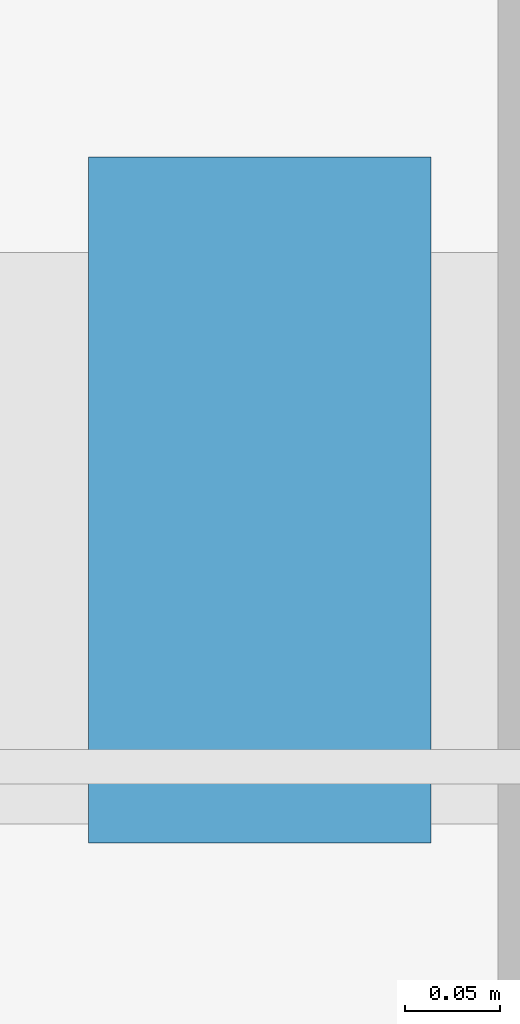
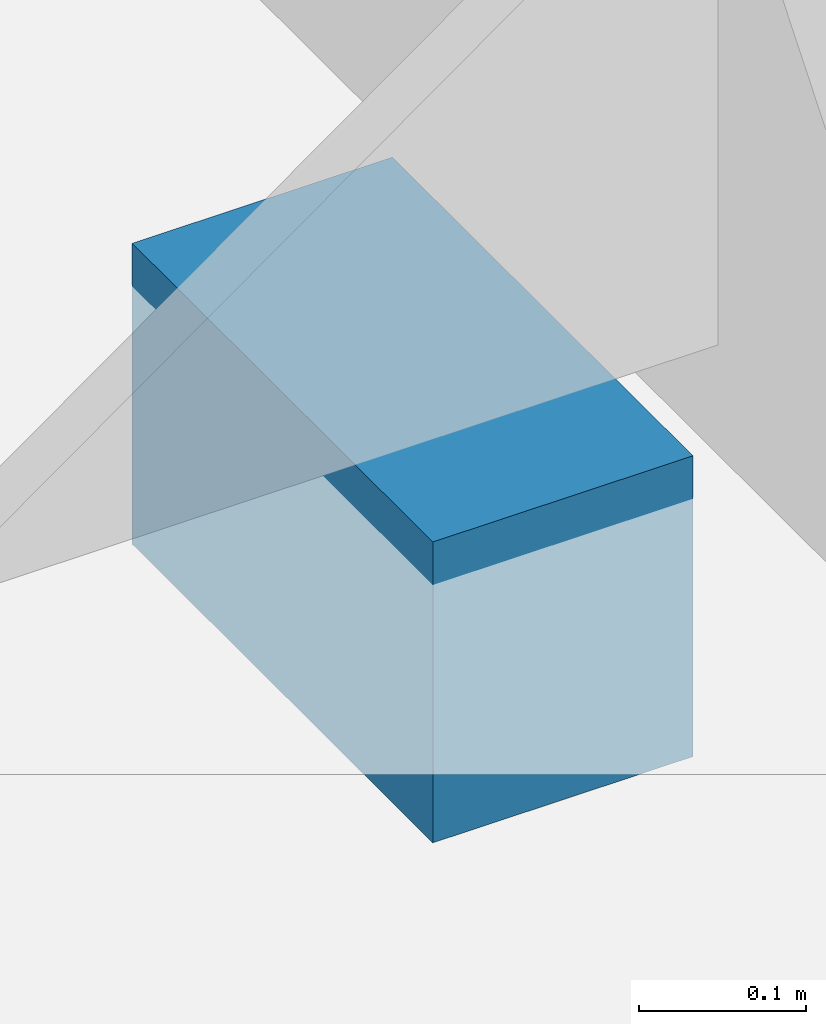
# One storey, part 14 of 17: 1 discrete accessory.
"""IFC4 building model written with IfcOpenShell, lengths in metres."""

import ifcopenshell
import ifcopenshell.guid

model = None  # the IFC model being written
_history = None  # IfcOwnerHistory: only IFC2X3 demands one
_inside = {}  # id of a spatial element -> (the spatial element, [elements in it])
_under = {}  # id of a project, library or spatial element -> (it, [spatial elements below it])
_declared = {}  # id of a project -> (the project, [libraries it declares])
_typed = {}  # id of a type object -> (the type object, [elements of that type])
_made_of = {}  # id of a material, layer set ... -> (it, [elements and type objects made of it])


def new_model(schema):
    """Start an empty IFC model of exactly this schema.

    Asked for "IFC4X3", IfcOpenShell would pick the latest addendum, in which some entities
    have other attributes; the version numbers below select the first issue.
    IFC2X3 requires an IfcOwnerHistory on every rooted entity: one is made here for all.
    """
    global model, _history
    if schema == "IFC4X3":
        model = ifcopenshell.file(schema_version=(4, 3, 0, 0))
    else:
        model = ifcopenshell.file(schema=schema)
    _inside.clear()
    _under.clear()
    _declared.clear()
    _typed.clear()
    _made_of.clear()
    _history = None
    if model.schema == "IFC2X3":
        org = make("IfcOrganization", Name="unknown")
        user = make(
            "IfcPersonAndOrganization",
            ThePerson=make("IfcPerson", FamilyName="unknown"),
            TheOrganization=org,
        )
        app = make(
            "IfcApplication",
            ApplicationDeveloper=org,
            Version="unknown",
            ApplicationFullName="unknown",
            ApplicationIdentifier="unknown",
        )
        _history = make(
            "IfcOwnerHistory",
            OwningUser=user,
            OwningApplication=app,
            ChangeAction="ADDED",
            CreationDate=0,
        )
    return model


def make(cls, **values):
    """One entity of the class cls with the attributes given. An attribute that is None is left unset."""
    return model.create_entity(
        cls, **{name: value for name, value in values.items() if value is not None}
    )


def rooted(cls, **values):
    """An entity with a GlobalId (a new one), such as an element, a storey or a relation."""
    return make(cls, GlobalId=ifcopenshell.guid.new(), OwnerHistory=_history, **values)


def si_unit(unit_type, name, prefix=None):
    """IfcSIUnit, for example si_unit("LENGTHUNIT", "METRE", prefix="MILLI")."""
    return make("IfcSIUnit", UnitType=unit_type, Prefix=prefix, Name=name)


def assignment(units):
    """IfcUnitAssignment: the units of a project."""
    return None if units is None else make("IfcUnitAssignment", Units=units)


def point(xyz):
    """IfcCartesianPoint."""
    return None if xyz is None else make("IfcCartesianPoint", Coordinates=xyz)


def direction(xyz):
    """IfcDirection."""
    return None if xyz is None else make("IfcDirection", DirectionRatios=xyz)


def frame(location, z_axis=None, x_axis=None):
    """IfcAxis2Placement3D, a coordinate frame: its origin and axes. An axis left out is left unset."""
    return make(
        "IfcAxis2Placement3D",
        Location=point(location),
        Axis=direction(z_axis),
        RefDirection=direction(x_axis),
    )


def frame_2d(location, x_axis=None):
    """IfcAxis2Placement2D, a coordinate frame in the plane: its origin and x axis."""
    return make(
        "IfcAxis2Placement2D", Location=point(location), RefDirection=direction(x_axis)
    )


def origin():
    """The frame at (0, 0, 0) with its axes left unset."""
    return frame((0.0, 0.0, 0.0))


def origin_2d():
    """The frame at (0, 0) in the plane with its x axis left unset."""
    return frame_2d((0.0, 0.0))


def place(relative_to, where):
    """IfcLocalPlacement: puts the frame where relative to a parent placement (None: the world)."""
    return make(
        "IfcLocalPlacement", PlacementRelTo=relative_to, RelativePlacement=where
    )


def context(
    kind, dimensions, precision=None, world=None, true_north=None, identifier=None
):
    """IfcGeometricRepresentationContext, for example the 3D "Model" context."""
    return make(
        "IfcGeometricRepresentationContext",
        ContextIdentifier=identifier,
        ContextType=kind,
        CoordinateSpaceDimension=dimensions,
        Precision=precision,
        WorldCoordinateSystem=world,
        TrueNorth=true_north,
    )


def subcontext(parent, identifier, kind, view, scale=None):
    """IfcGeometricRepresentationSubContext, for example "Body" below "Model"."""
    return make(
        "IfcGeometricRepresentationSubContext",
        ContextIdentifier=identifier,
        ContextType=kind,
        ParentContext=parent,
        TargetScale=scale,
        TargetView=view,
    )


def project(units=None, contexts=None):
    """IfcProject with its units and contexts."""
    return rooted(
        "IfcProject",
        Name="project",
        RepresentationContexts=contexts,
        UnitsInContext=assignment(units),
    )


def spatial(cls, under=None, at=None, **own):
    """A site, building, storey or space (cls), placed at a placement, below another one or the project."""
    s = rooted(cls, ObjectPlacement=at, **own)
    if under is not None:
        _under.setdefault(under.id(), (under, []))[1].append(s)
    return s


def profile(cls, at=None, kind="AREA", **sizes):
    """A parametric profile (cls). Its sizes go by their IFC names, for example OverallWidth=200.0."""
    return make(cls, ProfileType=kind, Position=at, **sizes)


def rectangle(**sizes):
    """IfcRectangleProfileDef."""
    return profile("IfcRectangleProfileDef", **sizes)


def extrude(swept, where, along, depth):
    """IfcExtrudedAreaSolid: the profile swept, set in the frame where, extruded along a direction by depth."""
    return make(
        "IfcExtrudedAreaSolid",
        SweptArea=swept,
        Position=where,
        ExtrudedDirection=direction(along),
        Depth=depth,
    )


def shape(context_of_items, identifier, shape_type, items):
    """IfcShapeRepresentation: the items that make up one representation, for example the "Body"."""
    return make(
        "IfcShapeRepresentation",
        ContextOfItems=context_of_items,
        RepresentationIdentifier=identifier,
        RepresentationType=shape_type,
        Items=items,
    )


def source(mapping_origin, context_of_items, identifier, shape_type, items):
    """IfcRepresentationMap: a shape defined once, which mapped items show again and again."""
    return make(
        "IfcRepresentationMap",
        MappingOrigin=mapping_origin,
        MappedRepresentation=shape(context_of_items, identifier, shape_type, items),
    )


def transform(
    local_origin,
    x_axis=None,
    y_axis=None,
    z_axis=None,
    scale=None,
    scale2=None,
    scale3=None,
    uniform=True,
):
    """IfcCartesianTransformationOperator3D, or its non-uniform kind. x_axis, y_axis, z_axis: its Axis1, 2, 3."""
    if uniform:
        return make(
            "IfcCartesianTransformationOperator3D",
            Axis1=direction(x_axis),
            Axis2=direction(y_axis),
            LocalOrigin=point(local_origin),
            Scale=scale,
            Axis3=direction(z_axis),
        )
    return make(
        "IfcCartesianTransformationOperator3DnonUniform",
        Axis1=direction(x_axis),
        Axis2=direction(y_axis),
        LocalOrigin=point(local_origin),
        Scale=scale,
        Axis3=direction(z_axis),
        Scale2=scale2,
        Scale3=scale3,
    )


def mapped(mapping_source, mapping_target):
    """IfcMappedItem: shows the shape of a source again, moved by a transform."""
    return make(
        "IfcMappedItem", MappingSource=mapping_source, MappingTarget=mapping_target
    )


def material(Name=None, Category=None):
    """IfcMaterial."""
    return make("IfcMaterial", Name=Name, Category=Category)


def made_of(thing, what):
    """Note that an element or type object is made of a material, layer set ...; save() writes the relation."""
    if what is not None:
        _made_of.setdefault(what.id(), (what, []))[1].append(thing)
    return thing


def type_object(cls, material=None, **own):
    """A type object (cls), such as IfcWallType, which elements share."""
    return made_of(rooted(cls, **own), material)


def element(
    cls,
    number,
    at=None,
    inside=None,
    cuts=None,
    type_object=None,
    material=None,
    context=None,
    identifier="Body",
    shape_type=None,
    held_by="IfcProductDefinitionShape",
    body=None,
    shapes=None,
    **own,
):
    """One element of the class cls, such as IfcWall. Its Tag is "e" and its number.

    at: its placement. inside: the storey or other place that contains it. cuts: it is an
    opening in that element (IfcRelVoidsElement). A single representation is given by context,
    identifier, shape_type and body (its items); several are given by shapes. held_by: the class
    of the entity that holds the representations. save() writes the other relations.
    """
    e = rooted(cls, Tag="e%d" % number, ObjectPlacement=at, **own)
    if body is not None:
        shapes = [shape(context, identifier, shape_type, body)]
    if shapes is not None:
        e.Representation = make(held_by, Representations=shapes)
    if inside is not None:
        _inside.setdefault(inside.id(), (inside, []))[1].append(e)
    if cuts is not None:
        rooted(
            "IfcRelVoidsElement", RelatingBuildingElement=cuts, RelatedOpeningElement=e
        )
    if type_object is not None:
        _typed.setdefault(type_object.id(), (type_object, []))[1].append(e)
    return made_of(e, material)


def aggregate(whole, parts):
    """IfcRelAggregates: a whole, such as a stair, and the parts it consists of."""
    return rooted("IfcRelAggregates", RelatingObject=whole, RelatedObjects=parts)


def save(model, path):
    """Write the relations noted so far, then the file.

    IfcRelAggregates (storeys below a building ...), IfcRelContainedInSpatialStructure (elements
    in a storey), IfcRelDefinesByType, IfcRelAssociatesMaterial and IfcRelDeclares: one each for
    every whole, place, type object, material and project.
    """
    for whole, parts in _under.values():
        aggregate(whole, parts)
    for where, things in _inside.values():
        rooted(
            "IfcRelContainedInSpatialStructure",
            RelatedElements=things,
            RelatingStructure=where,
        )
    for kind, things in _typed.values():
        rooted("IfcRelDefinesByType", RelatedObjects=things, RelatingType=kind)
    for what, things in _made_of.values():
        rooted("IfcRelAssociatesMaterial", RelatedObjects=things, RelatingMaterial=what)
    for by, libraries in _declared.values():
        rooted("IfcRelDeclares", RelatingContext=by, RelatedDefinitions=libraries)
    model.write(path)


model = new_model("IFC4")

# Units and contexts
model_context = context("Model", 3, precision=1e-05, world=origin(), true_north=direction((0.0, 1.0)))
body_context = subcontext(model_context, "Body", "Model", "MODEL_VIEW")
ifc_project = project(units=[si_unit("LENGTHUNIT", "METRE"), si_unit("AREAUNIT", "SQUARE_METRE"), si_unit("VOLUMEUNIT", "CUBIC_METRE"), si_unit("PLANEANGLEUNIT", "RADIAN"), si_unit("MASSUNIT", "GRAM", prefix="KILO")], contexts=[model_context])

# Site, building, storey
site_placement = place(None, origin())
site = spatial("IfcSite", under=ifc_project, at=site_placement, CompositionType="ELEMENT")
building_placement = place(site_placement, origin())
building = spatial("IfcBuilding", under=site, at=building_placement, Name="Kaliganga Portal Commons", CompositionType="ELEMENT")
storey_placement = place(building_placement, frame((0.0, 0.0, 43.800048828125)))
storey = spatial("IfcBuildingStorey", under=building, at=storey_placement, Name="L10", CompositionType="ELEMENT", Elevation=43.800048828125)

# Discrete accessory
ifc_material = material(Name="Structural steel S355J2", Category="steel")
discrete_accessory_type = type_object("IfcDiscreteAccessoryType", Name="DAC-BRK-SCR", PredefinedType="BRACKET", material=ifc_material)
shared_shape = source(origin(), body_context, "Body", "SweptSolid", [
    extrude(rectangle(XDim=0.179931640625, YDim=0.360107421875, at=origin_2d()), origin(), (0.0, 0.0, 1.0), 0.219970703125),
])
discrete_accessory_placement = place(storey_placement, frame((35.199951171875, 21.6201171875, -0.18994140625), z_axis=(0.0, 0.0, 1.0), x_axis=(1.0, 0.0, 0.0)))
element("IfcDiscreteAccessory", 1, at=discrete_accessory_placement, inside=storey, type_object=discrete_accessory_type, Name="Solar Screen Outrigger Bracket L10-S3-2", PredefinedType="BRACKET", context=body_context, shape_type="MappedRepresentation", body=[
    mapped(shared_shape, transform((0.0, 0.0, 0.0), x_axis=(1.0, 0.0, 0.0), y_axis=(0.0, 1.0, 0.0), z_axis=(0.0, 0.0, 1.0), scale=1.0)),
])

save(model, "model.ifc")
